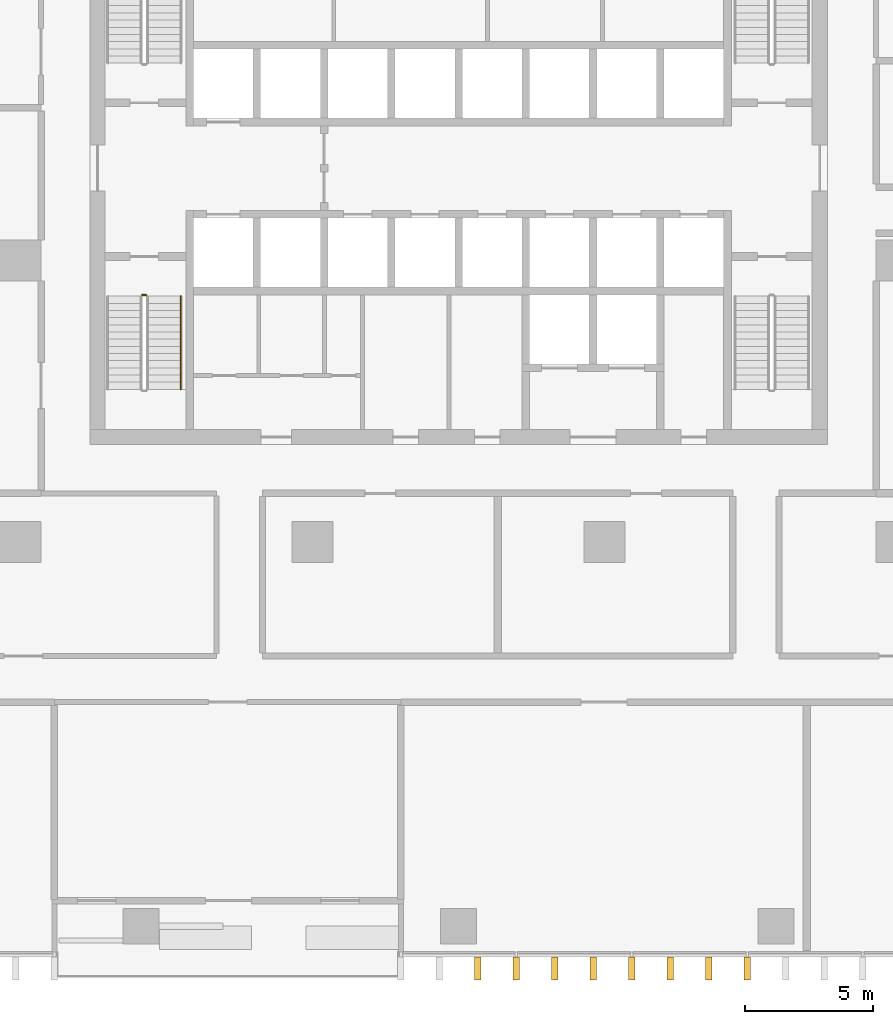
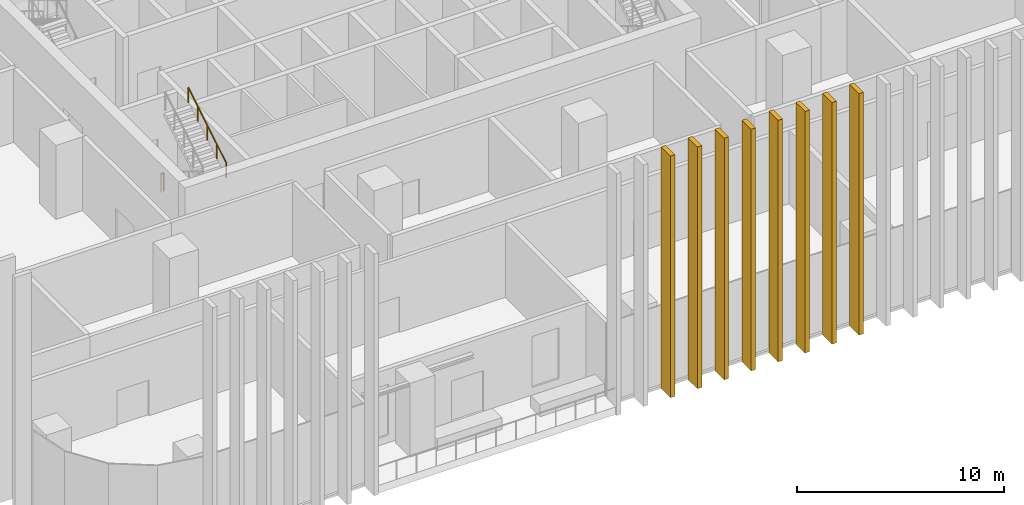
# One storey, part 13 of 17: 8 shading devices, 2 railings.
"""IFC4 building model written with IfcOpenShell, lengths in metres."""

from ifc_helpers import new_model, si_unit, direction, frame, origin, origin_2d, place, context, subcontext, project, spatial, rectangle, circle, extrude, material, type_object, element, save


model = new_model("IFC4")

# Units and contexts
model_context = context("Model", 3, precision=1e-05, world=origin(), true_north=direction((0.0, 1.0)))
body_context = subcontext(model_context, "Body", "Model", "MODEL_VIEW")
ifc_project = project(units=[si_unit("LENGTHUNIT", "METRE"), si_unit("AREAUNIT", "SQUARE_METRE"), si_unit("VOLUMEUNIT", "CUBIC_METRE"), si_unit("PLANEANGLEUNIT", "RADIAN"), si_unit("MASSUNIT", "GRAM", prefix="KILO")], contexts=[model_context])

# Site, building, storey
site_placement = place(None, origin())
site = spatial("IfcSite", under=ifc_project, at=site_placement, CompositionType="ELEMENT")
building_placement = place(site_placement, origin())
building = spatial("IfcBuilding", under=site, at=building_placement, Name="Mopane Tessera Tower", CompositionType="ELEMENT")
storey_placement = place(building_placement, frame((0.0, 0.0, 74.199951171875)))
storey = spatial("IfcBuildingStorey", under=building, at=storey_placement, Name="L14", CompositionType="ELEMENT", Elevation=74.199951171875)

# Shading devices
ifc_material_1 = material(Name="Glazed ceramic tile")
shading_device_type = type_object("IfcShadingDeviceType", Name="Ceramic tile fin 900 x 250 mm", PredefinedType="USERDEFINED", material=ifc_material_1)
for number, where, z_axis, x_axis, name in (
    (1, (0.75146484375, -27.64990234375, -0.449951171875), (0.0, 0.0, 1.0), (1.0, 0.0, 0.0), "e:fin:L14:S:5:2"),
    (2, (2.254638671875, -27.64990234375, -0.449951171875), (0.0, 0.0, 1.0), (1.0, 0.0, 0.0), "e:fin:L14:S:6:0"),
    (3, (3.757568359375, -27.64990234375, -0.449951171875), (0.0, 0.0, 1.0), (1.0, 0.0, 0.0), "e:fin:L14:S:6:1"),
    (4, (5.260498046875, -27.64990234375, -0.449951171875), (0.0, 0.0, 1.0), (1.0, 0.0, 0.0), "e:fin:L14:S:6:2"),
    (5, (6.763671875, -27.64990234375, -0.449951171875), (0.0, 0.0, 1.0), (1.0, 0.0, 0.0), "e:fin:L14:S:7:0"),
    (6, (8.2666015625, -27.64990234375, -0.449951171875), (0.0, 0.0, 1.0), (1.0, 0.0, 0.0), "e:fin:L14:S:7:1"),
    (7, (9.769775390625, -27.64990234375, -0.449951171875), (0.0, 0.0, 1.0), (1.0, 0.0, 0.0), "e:fin:L14:S:7:2"),
    (8, (11.272705078125, -27.64990234375, -0.449951171875), (0.0, 0.0, 1.0), (1.0, 0.0, 0.0), "e:fin:L14:S:8:0"),
):
    element("IfcShadingDevice", number, at=place(storey_placement, frame(where, z_axis=z_axis, x_axis=x_axis)), inside=storey, type_object=shading_device_type, Name=name, ObjectType="FIN", PredefinedType="USERDEFINED", context=body_context, shape_type="SweptSolid", body=[
        extrude(rectangle(XDim=0.25, YDim=0.89990234375, at=origin_2d()), origin(), (0.0, 0.0, 1.0), 14.25),
    ])

# Railings
ifc_material_2 = material(Name="Powder-coated steel balustrade", Category="steel")
railing_type_1 = type_object("IfcRailingType", Name="Escape stair guard 1100 mm", PredefinedType="GUARDRAIL", material=ifc_material_2)
railing_1_placement = place(storey_placement, frame((-12.35009765625, -1.35009765625, 0.0)))
element("IfcRailing", 9, at=railing_1_placement, inside=storey, type_object=railing_type_1, Name="L14 ST1 stair guard 3", PredefinedType="GUARDRAIL", context=body_context, shape_type="SweptSolid", body=[
    extrude(circle(Radius=0.02392578125, at=origin_2d()), frame((0.0, 0.0, 1.076171875), z_axis=(1.0, 0.0, 0.0), x_axis=(0.0, 1.0, 0.0)), (0.0, 0.0, 1.0), 0.150146484375),
    extrude(circle(Radius=0.02099609375, at=origin_2d()), origin(), (0.0, 0.0, 1.0), 1.052001953125),
    extrude(circle(Radius=0.02099609375, at=origin_2d()), frame((0.150146484375, 0.0, 0.0)), (0.0, 0.0, 1.0), 1.052001953125),
])
ifc_material_3 = material(Name="Powder-coated steel balustrade", Category="steel")
railing_type_2 = type_object("IfcRailingType", Name="Escape stair handrail 900 mm", PredefinedType="HANDRAIL", material=ifc_material_3)
railing_2_placement = place(storey_placement, frame((-10.85009765625, -5.0400390625, 2.571533203125)))
element("IfcRailing", 10, at=railing_2_placement, inside=storey, type_object=railing_type_2, Name="L14 ST1 stair handrail 2", PredefinedType="HANDRAIL", context=body_context, shape_type="SweptSolid", body=[
    extrude(circle(Radius=0.02392578125, at=origin_2d()), frame((0.0, 0.0, 0.8759765625), z_axis=(0.0, 0.852865859571, 0.52213008492), x_axis=(-1.0, 0.0, 0.0)), (0.0, 0.0, 1.0), 4.26806640625),
    extrude(circle(Radius=0.02099609375, at=origin_2d()), origin(), (0.0, 0.0, 1.0), 0.851806640625),
    extrude(circle(Radius=0.02099609375, at=origin_2d()), frame((0.0, 0.91015625, 0.55712890625)), (0.0, 0.0, 1.0), 0.851806640625),
    extrude(circle(Radius=0.02099609375, at=origin_2d()), frame((0.0, 1.820068359375, 1.1142578125)), (0.0, 0.0, 1.0), 0.851806640625),
    extrude(circle(Radius=0.02099609375, at=origin_2d()), frame((0.0, 2.72998046875, 1.67138671875)), (0.0, 0.0, 1.0), 0.851806640625),
    extrude(circle(Radius=0.02099609375, at=origin_2d()), frame((0.0, 3.64013671875, 2.228515625)), (0.0, 0.0, 1.0), 0.851806640625),
])

save(model, "model.ifc")
